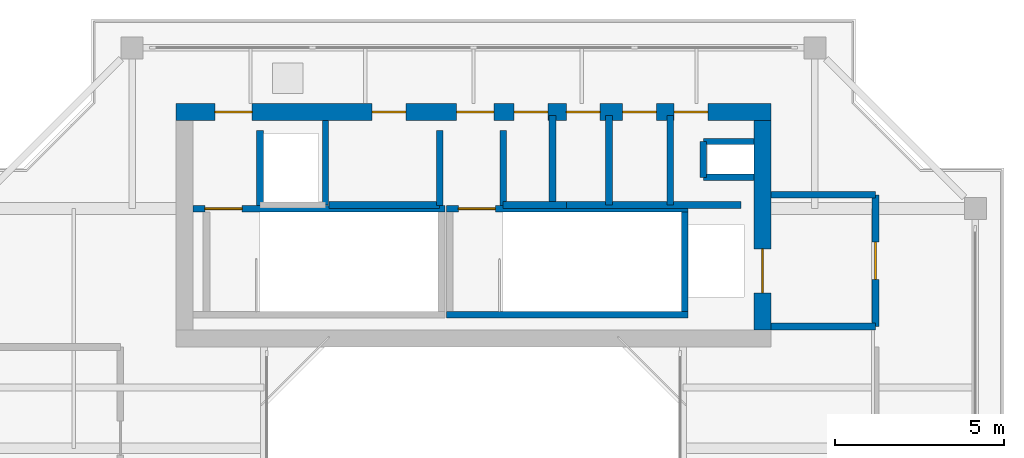
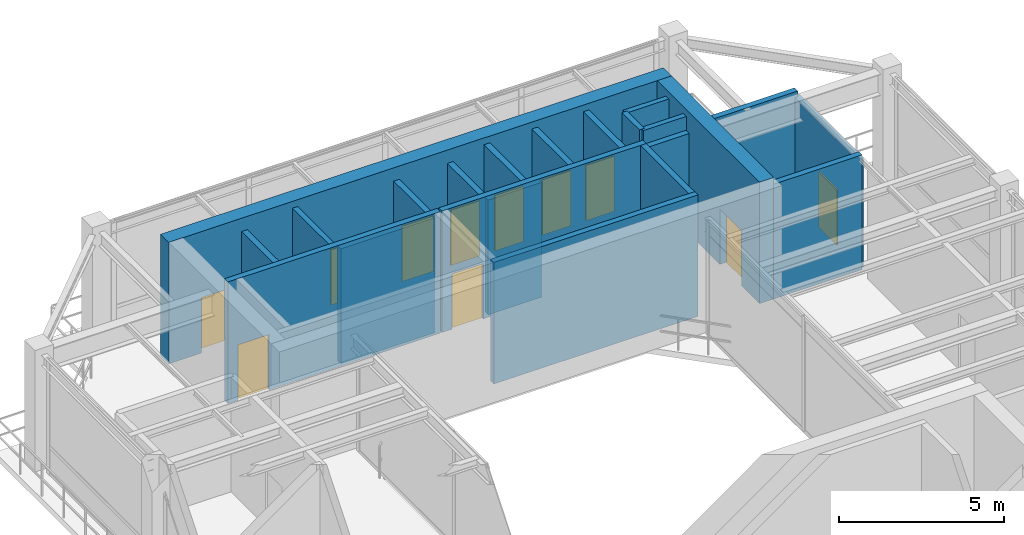
# One storey, part 8 of 9: 22 walls, 11 doors, 11 openings.
"""IFC4 building model written with IfcOpenShell, lengths in metres."""

from ifc_helpers import new_model, si_unit, direction, frame, frame_2d, origin, place, context, subcontext, project, spatial, rectangle, extrude, source, transform, mapped, material, layer, layer_set, type_object, element, fill, save


model = new_model("IFC4")

# Units and contexts
model_context = context("Model", 3, precision=1e-05, world=origin(), true_north=direction((0.0, 1.0)))
body_context = subcontext(model_context, "Body", "Model", "MODEL_VIEW")
ifc_project = project(units=[si_unit("LENGTHUNIT", "METRE"), si_unit("AREAUNIT", "SQUARE_METRE"), si_unit("VOLUMEUNIT", "CUBIC_METRE"), si_unit("PLANEANGLEUNIT", "RADIAN"), si_unit("MASSUNIT", "GRAM", prefix="KILO"), si_unit("THERMODYNAMICTEMPERATUREUNIT", "KELVIN"), si_unit("POWERUNIT", "WATT")], contexts=[model_context])

# Site, building, storey
site_placement = place(None, origin())
site = spatial("IfcSite", under=ifc_project, at=site_placement, CompositionType="ELEMENT")
building_placement = place(site_placement, origin())
building = spatial("IfcBuilding", under=site, at=building_placement, Name="Qiaomeng Ring Towers", CompositionType="ELEMENT")
storey_placement = place(building_placement, frame((0.0, 0.0, 263.25)))
storey = spatial("IfcBuildingStorey", under=building, at=storey_placement, Name="L77", CompositionType="ELEMENT", Elevation=263.25)

# Walls
ifc_material_1 = material(Name="Autoclaved aerated concrete block", Category="concrete")
ifc_layer_1 = layer(ifc_material_1, 0.199951171875, Name="Autoclaved aerated concrete block")
ifc_layer_set_1 = layer_set([ifc_layer_1], Name="Autoclaved aerated concrete block")
wall_type_1 = type_object("IfcWallType", Name="ARC-WL-PW1", PredefinedType="PARTITIONING", material=ifc_layer_set_1)
for number, where, z_axis, x_axis, name in (
    (1, (27.800048828125, 29.60009765625, 0.0), (0.0, 0.0, 1.0), (1.0, 0.0, 0.0), "L77 Interior Wall PW1"),
    (2, (27.800048828125, 33.5, 0.0), (0.0, 0.0, 1.0), (1.0, 0.0, 0.0), "L77 Interior Wall PW1"),
):
    element("IfcWall", number, at=place(storey_placement, frame(where, z_axis=z_axis, x_axis=x_axis)), inside=storey, type_object=wall_type_1, Name=name, PredefinedType="PARTITIONING", context=body_context, shape_type="SweptSolid", body=[
        extrude(rectangle(XDim=3.099853515625, YDim=0.199951171875, at=frame_2d((1.5498046875, 0.0))), origin(), (0.0, 0.0, 1.0), 4.25),
    ])

# Wall, opening, door
wall_1_placement = place(storey_placement, frame((30.89990234375, 29.60009765625, 0.0), z_axis=(0.0, 0.0, 1.0), x_axis=(0.0, 1.0, 0.0)))
wall_1 = element("IfcWall", 3, at=wall_1_placement, inside=storey, type_object=wall_type_1, Name="L77 Interior Wall PW1", PredefinedType="PARTITIONING", context=body_context, shape_type="SweptSolid", body=[
    extrude(rectangle(XDim=3.89990234375, YDim=0.199951171875, at=frame_2d((1.949951171875, 0.0))), origin(), (0.0, 0.0, 1.0), 4.044921875),
])
opening_1_placement = place(wall_1_placement, frame((1.39990234375, 0.0, 0.0)))
opening_1 = element("IfcOpeningElement", 4, at=opening_1_placement, cuts=wall_1, Name="Opening FD3", PredefinedType="OPENING", context=body_context, shape_type="SweptSolid", body=[
    extrude(rectangle(XDim=1.10009765625, YDim=2.050048828125, at=frame_2d((0.550048828125, 1.02490234375))), frame((0.0, 0.10986328125, 0.0), z_axis=(0.0, -1.0, 0.0), x_axis=(1.0, 0.0, 0.0)), (0.0, 0.0, 1.0), 0.219970703125),
])
ifc_material_2 = material(Name="Galvanised steel", Category="steel")
door_type_1 = type_object("IfcDoorType", Name="ARC-DR-FD3", OperationType="NOTDEFINED", PredefinedType="DOOR", material=ifc_material_2)
shared_shape_1 = source(origin(), body_context, "Body", "SweptSolid", [
    extrude(rectangle(XDim=1.10009765625, YDim=2.050048828125, at=frame_2d((0.550048828125, 1.02490234375))), frame((0.0, 0.02490234375, 0.0), z_axis=(0.0, -1.0, 0.0), x_axis=(1.0, 0.0, 0.0)), (0.0, 0.0, 1.0), 0.050048828125),
])
door_1_placement = place(opening_1_placement, origin())
door_1 = element("IfcDoor", 5, at=door_1_placement, inside=storey, type_object=door_type_1, Name="L77 North FF Lobby Door", OperationType="SINGLE_SWING_LEFT", OverallHeight=2.050048828125, OverallWidth=1.10009765625, PredefinedType="DOOR", context=body_context, shape_type="MappedRepresentation", body=[
    mapped(shared_shape_1, transform((0.0, 0.0, 0.0), x_axis=(1.0, 0.0, 0.0), y_axis=(0.0, 1.0, 0.0), z_axis=(0.0, 0.0, 1.0), scale=1.0)),
])
fill(opening_1, door_1)

# Walls
for number, where, z_axis, x_axis, name in (
    (6, (12.679931640625, 33.18994140625, 0.0), (0.0, 0.0, 1.0), (0.0, 1.0, 0.0), "L77 Interior Wall PW1"),
    (7, (18.0, 33.18994140625, 0.0), (0.0, 0.0, 1.0), (0.0, 1.0, 0.0), "L77 Interior Wall PW1"),
    (8, (19.8798828125, 33.18994140625, 0.0), (0.0, 0.0, 1.0), (0.0, 1.0, 0.0), "L77 Interior Wall PW1"),
):
    element("IfcWall", number, at=place(storey_placement, frame(where, z_axis=z_axis, x_axis=x_axis)), inside=storey, type_object=wall_type_1, Name=name, PredefinedType="PARTITIONING", context=body_context, shape_type="SweptSolid", body=[
        extrude(rectangle(XDim=2.2099609375, YDim=0.199951171875, at=frame_2d((1.10498046875, 0.0))), origin(), (0.0, 0.0, 1.0), 4.25),
    ])
wall_2_placement = place(storey_placement, frame((14.719970703125, 33.199951171875, 0.0), z_axis=(0.0, 0.0, 1.0), x_axis=(1.0, 0.0, 0.0)))
element("IfcWall", 9, at=wall_2_placement, inside=storey, type_object=wall_type_1, Name="L77 Interior Wall PW1", PredefinedType="PARTITIONING", context=body_context, shape_type="SweptSolid", body=[
    extrude(rectangle(XDim=3.280029296875, YDim=0.199951171875, at=frame_2d((1.64013671875, 0.0))), origin(), (0.0, 0.0, 1.0), 4.25),
])
wall_3_placement = place(storey_placement, frame((24.820068359375, 33.199951171875, 0.0), z_axis=(0.0, 0.0, 1.0), x_axis=(0.0, 1.0, 0.0)))
element("IfcWall", 10, at=wall_3_placement, inside=storey, type_object=wall_type_1, Name="L77 Interior Wall PW1", PredefinedType="PARTITIONING", context=body_context, shape_type="SweptSolid", body=[
    extrude(rectangle(XDim=2.650146484375, YDim=0.199951171875, at=frame_2d((1.3251953125, 0.0))), origin(), (0.0, 0.0, 1.0), 4.25),
])
wall_4_placement = place(storey_placement, frame((19.8798828125, 33.199951171875, 0.0), z_axis=(0.0, 0.0, 1.0), x_axis=(1.0, 0.0, 0.0)))
element("IfcWall", 11, at=wall_4_placement, inside=storey, type_object=wall_type_1, Name="L77 Interior Wall PW1", PredefinedType="PARTITIONING", context=body_context, shape_type="SweptSolid", body=[
    extrude(rectangle(XDim=1.8701171875, YDim=0.199951171875, at=frame_2d((0.93505859375, 0.0))), origin(), (0.0, 0.0, 1.0), 4.25),
])
for number, where, z_axis, x_axis, name in (
    (12, (21.340087890625, 33.199951171875, 0.0), (0.0, 0.0, 1.0), (0.0, 1.0, 0.0), "L77 Interior Wall PW1"),
    (13, (23.010009765625, 33.199951171875, 0.0), (0.0, 0.0, 1.0), (0.0, 1.0, 0.0), "L77 Interior Wall PW1"),
):
    element("IfcWall", number, at=place(storey_placement, frame(where, z_axis=z_axis, x_axis=x_axis)), inside=storey, type_object=wall_type_1, Name=name, PredefinedType="PARTITIONING", context=body_context, shape_type="SweptSolid", body=[
        extrude(rectangle(XDim=2.650146484375, YDim=0.199951171875, at=frame_2d((1.3251953125, 0.0))), origin(), (0.0, 0.0, 1.0), 4.25),
    ])
wall_5_placement = place(storey_placement, frame((21.75, 33.199951171875, 0.0), z_axis=(0.0, 0.0, 1.0), x_axis=(1.0, 0.0, 0.0)))
element("IfcWall", 14, at=wall_5_placement, inside=storey, type_object=wall_type_1, Name="L77 Interior Wall PW1", PredefinedType="PARTITIONING", context=body_context, shape_type="SweptSolid", body=[
    extrude(rectangle(XDim=5.169921875, YDim=0.199951171875, at=frame_2d((2.5849609375, 0.0))), origin(), (0.0, 0.0, 1.0), 4.25),
])
ifc_material_3 = material(Name="Concrete C40", Category="concrete")
ifc_layer_2 = layer(ifc_material_3, 0.199951171875, Name="Concrete C40")
ifc_layer_set_2 = layer_set([ifc_layer_2], Name="Concrete C40")
wall_type_2 = type_object("IfcWallType", Name="STR-WL-STSHAFT", PredefinedType="SHEAR", material=ifc_layer_set_2)
wall_6_placement = place(storey_placement, frame((14.6201171875, 33.199951171875, 0.0), z_axis=(0.0, 0.0, 1.0), x_axis=(0.0, 1.0, 0.0)))
element("IfcWall", 15, at=wall_6_placement, inside=storey, type_object=wall_type_2, Name="L77 Lift LP5-LP3 Shaft Divider Wall", PredefinedType="SHEAR", context=body_context, shape_type="SweptSolid", body=[
    extrude(rectangle(XDim=2.5, YDim=0.179931640625, at=frame_2d((1.25, 0.0))), origin(), (0.0, 0.0, 1.0), 4.25),
])
wall_7_placement = place(storey_placement, frame((25.800048828125, 34.02001953125, 0.0), z_axis=(0.0, 0.0, 1.0), x_axis=(0.0, 1.0, 0.0)))
element("IfcWall", 16, at=wall_7_placement, inside=storey, type_object=wall_type_2, Name="L77 Riser RSR1 West Shaft Wall N", PredefinedType="SHEAR", context=body_context, shape_type="SweptSolid", body=[
    extrude(rectangle(XDim=1.06005859375, YDim=0.179931640625, at=frame_2d((0.530029296875, 0.0))), origin(), (0.0, 0.0, 1.0), 4.25),
])
for number, where, z_axis, x_axis, name in (
    (17, (25.800048828125, 35.080078125, 0.0), (0.0, 0.0, 1.0), (1.0, 0.0, 0.0), "L77 Riser RSR1 North Shaft Wall N"),
    (18, (25.800048828125, 34.02001953125, 0.0), (0.0, 0.0, 1.0), (1.0, 0.0, 0.0), "L77 Riser RSR1 South Shaft Wall N"),
):
    element("IfcWall", number, at=place(storey_placement, frame(where, z_axis=z_axis, x_axis=x_axis)), inside=storey, type_object=wall_type_2, Name=name, PredefinedType="SHEAR", context=body_context, shape_type="SweptSolid", body=[
        extrude(rectangle(XDim=1.5, YDim=0.179931640625, at=frame_2d((0.75, 0.0))), origin(), (0.0, 0.0, 1.0), 4.25),
    ])

# Wall, opening, door
wall_8_placement = place(storey_placement, frame((10.699951171875, 33.090087890625, 0.0), z_axis=(0.0, 0.0, 1.0), x_axis=(1.0, 0.0, 0.0)))
wall_8 = element("IfcWall", 19, at=wall_8_placement, inside=storey, type_object=wall_type_2, Name="L77 Stair ST1 North Shaft Shear Wall", PredefinedType="SHEAR", context=body_context, shape_type="SweptSolid", body=[
    extrude(rectangle(XDim=7.449951171875, YDim=0.199951171875, at=frame_2d((3.72509765625, 0.0))), origin(), (0.0, 0.0, 1.0), 4.5),
])
opening_2_placement = place(wall_8_placement, frame((0.35009765625, 0.0, 0.0)))
opening_2 = element("IfcOpeningElement", 20, at=opening_2_placement, cuts=wall_8, Name="Opening FD3", PredefinedType="OPENING", context=body_context, shape_type="SweptSolid", body=[
    extrude(rectangle(XDim=1.10009765625, YDim=2.050048828125, at=frame_2d((0.550048828125, 1.02490234375))), frame((0.0, 0.10986328125, 0.0), z_axis=(0.0, -1.0, 0.0), x_axis=(1.0, 0.0, 0.0)), (0.0, 0.0, 1.0), 0.219970703125),
])
door_2_placement = place(opening_2_placement, origin())
door_2 = element("IfcDoor", 21, at=door_2_placement, inside=storey, type_object=door_type_1, Name="L77 Stair ST1 Exit Door", OperationType="SINGLE_SWING_RIGHT", OverallHeight=2.050048828125, OverallWidth=1.10009765625, PredefinedType="DOOR", context=body_context, shape_type="MappedRepresentation", body=[
    mapped(shared_shape_1, transform((0.0, 0.0, 0.0), x_axis=(1.0, 0.0, 0.0), y_axis=(0.0, 1.0, 0.0), z_axis=(0.0, 0.0, 1.0), scale=1.0)),
])
fill(opening_2, door_2)

# Wall
wall_9_placement = place(storey_placement, frame((18.199951171875, 29.949951171875, 0.0), z_axis=(0.0, 0.0, 1.0), x_axis=(1.0, 0.0, 0.0)))
element("IfcWall", 22, at=wall_9_placement, inside=storey, type_object=wall_type_2, Name="L77 Stair ST2 South Shaft Shear Wall", PredefinedType="SHEAR", context=body_context, shape_type="SweptSolid", body=[
    extrude(rectangle(XDim=7.150146484375, YDim=0.199951171875, at=frame_2d((3.5751953125, 0.0))), origin(), (0.0, 0.0, 1.0), 4.5),
])

# Wall, opening, door
wall_10_placement = place(storey_placement, frame((18.199951171875, 33.090087890625, 0.0), z_axis=(0.0, 0.0, 1.0), x_axis=(1.0, 0.0, 0.0)))
wall_10 = element("IfcWall", 23, at=wall_10_placement, inside=storey, type_object=wall_type_2, Name="L77 Stair ST2 North Shaft Shear Wall", PredefinedType="SHEAR", context=body_context, shape_type="SweptSolid", body=[
    extrude(rectangle(XDim=7.150146484375, YDim=0.199951171875, at=frame_2d((3.5751953125, 0.0))), origin(), (0.0, 0.0, 1.0), 4.5),
])
opening_3_placement = place(wall_10_placement, frame((0.35009765625, 0.0, 0.0)))
opening_3 = element("IfcOpeningElement", 24, at=opening_3_placement, cuts=wall_10, Name="Opening FD3", PredefinedType="OPENING", context=body_context, shape_type="SweptSolid", body=[
    extrude(rectangle(XDim=1.10009765625, YDim=2.050048828125, at=frame_2d((0.550048828125, 1.02490234375))), frame((0.0, 0.10986328125, 0.0), z_axis=(0.0, -1.0, 0.0), x_axis=(1.0, 0.0, 0.0)), (0.0, 0.0, 1.0), 0.219970703125),
])
door_3_placement = place(opening_3_placement, origin())
door_3 = element("IfcDoor", 25, at=door_3_placement, inside=storey, type_object=door_type_1, Name="L77 Stair ST2 Exit Door", OperationType="SINGLE_SWING_RIGHT", OverallHeight=2.050048828125, OverallWidth=1.10009765625, PredefinedType="DOOR", context=body_context, shape_type="MappedRepresentation", body=[
    mapped(shared_shape_1, transform((0.0, 0.0, 0.0), x_axis=(1.0, 0.0, 0.0), y_axis=(0.0, 1.0, 0.0), z_axis=(0.0, 0.0, 1.0), scale=1.0)),
])
fill(opening_3, door_3)

# Wall
wall_11_placement = place(storey_placement, frame((25.25, 30.050048828125, 0.0), z_axis=(0.0, 0.0, 1.0), x_axis=(0.0, 1.0, 0.0)))
element("IfcWall", 26, at=wall_11_placement, inside=storey, type_object=wall_type_2, Name="L77 Stair ST2 East Shaft Shear Wall", PredefinedType="SHEAR", context=body_context, shape_type="SweptSolid", body=[
    extrude(rectangle(XDim=2.93994140625, YDim=0.199951171875, at=frame_2d((1.469970703125, 0.0))), origin(), (0.0, 0.0, 1.0), 4.5),
])

# Wall, openings, doors
ifc_layer_3 = layer(ifc_material_3, 0.5, Name="Concrete C40")
ifc_layer_set_3 = layer_set([ifc_layer_3], Name="Concrete C40")
wall_type_3 = type_object("IfcWallType", Name="STR-WL-SW3", PredefinedType="SHEAR", material=ifc_layer_set_3)
wall_12_placement = place(storey_placement, frame((10.199951171875, 35.949951171875, 0.0), z_axis=(0.0, 0.0, 1.0), x_axis=(1.0, 0.0, 0.0)))
wall_12 = element("IfcWall", 27, at=wall_12_placement, inside=storey, type_object=wall_type_3, Name="L77 T1NC north core shear wall", PredefinedType="SHEAR", context=body_context, shape_type="SweptSolid", body=[
    extrude(rectangle(XDim=17.60009765625, YDim=0.5, at=frame_2d((8.800048828125, 0.0))), origin(), (0.0, 0.0, 1.0), 4.5),
])
opening_4_placement = place(wall_12_placement, frame((1.14990234375, 0.0, 0.0)))
opening_4 = element("IfcOpeningElement", 28, at=opening_4_placement, cuts=wall_12, Name="Opening FD3", PredefinedType="OPENING", context=body_context, shape_type="SweptSolid", body=[
    extrude(rectangle(XDim=1.10009765625, YDim=2.050048828125, at=frame_2d((0.550048828125, 1.02490234375))), frame((0.0, 0.260009765625, 0.0), z_axis=(0.0, -1.0, 0.0), x_axis=(1.0, 0.0, 0.0)), (0.0, 0.0, 1.0), 0.52001953125),
])
opening_5_placement = place(wall_12_placement, frame((8.300048828125, 0.0, 0.0)))
opening_5 = element("IfcOpeningElement", 29, at=opening_5_placement, cuts=wall_12, Name="Opening FD3", PredefinedType="OPENING", context=body_context, shape_type="SweptSolid", body=[
    extrude(rectangle(XDim=1.10009765625, YDim=2.050048828125, at=frame_2d((0.550048828125, 1.02490234375))), frame((0.0, 0.260009765625, 0.0), z_axis=(0.0, -1.0, 0.0), x_axis=(1.0, 0.0, 0.0)), (0.0, 0.0, 1.0), 0.52001953125),
])
opening_6_placement = place(wall_12_placement, frame((5.800048828125, 0.0, 0.0)))
opening_6 = element("IfcOpeningElement", 30, at=opening_6_placement, cuts=wall_12, Name="Opening FD1", PredefinedType="OPENING", context=body_context, shape_type="SweptSolid", body=[
    extrude(rectangle(XDim=1.0, YDim=2.050048828125, at=frame_2d((0.5, 1.02490234375))), frame((0.0, 0.260009765625, 0.0), z_axis=(0.0, -1.0, 0.0), x_axis=(1.0, 0.0, 0.0)), (0.0, 0.0, 1.0), 0.52001953125),
])
opening_7_placement = place(wall_12_placement, frame((14.739990234375, 0.0, 0.0)))
opening_7 = element("IfcOpeningElement", 31, at=opening_7_placement, cuts=wall_12, Name="Opening FD1", PredefinedType="OPENING", context=body_context, shape_type="SweptSolid", body=[
    extrude(rectangle(XDim=1.0, YDim=2.050048828125, at=frame_2d((0.5, 1.02490234375))), frame((0.0, 0.260009765625, 0.0), z_axis=(0.0, -1.0, 0.0), x_axis=(1.0, 0.0, 0.0)), (0.0, 0.0, 1.0), 0.52001953125),
])
opening_8_placement = place(wall_12_placement, frame((10.0048828125, 0.0, 0.0)))
opening_8 = element("IfcOpeningElement", 32, at=opening_8_placement, cuts=wall_12, Name="Opening FD1", PredefinedType="OPENING", context=body_context, shape_type="SweptSolid", body=[
    extrude(rectangle(XDim=1.0, YDim=2.050048828125, at=frame_2d((0.5, 1.02490234375))), frame((0.0, 0.260009765625, 0.0), z_axis=(0.0, -1.0, 0.0), x_axis=(1.0, 0.0, 0.0)), (0.0, 0.0, 1.0), 0.52001953125),
])
opening_9_placement = place(wall_12_placement, frame((11.550048828125, 0.0, 0.0)))
opening_9 = element("IfcOpeningElement", 33, at=opening_9_placement, cuts=wall_12, Name="Opening FD1", PredefinedType="OPENING", context=body_context, shape_type="SweptSolid", body=[
    extrude(rectangle(XDim=1.0, YDim=2.050048828125, at=frame_2d((0.5, 1.02490234375))), frame((0.0, 0.260009765625, 0.0), z_axis=(0.0, -1.0, 0.0), x_axis=(1.0, 0.0, 0.0)), (0.0, 0.0, 1.0), 0.52001953125),
])
opening_10_placement = place(wall_12_placement, frame((13.215087890625, 0.0, 0.0)))
opening_10 = element("IfcOpeningElement", 34, at=opening_10_placement, cuts=wall_12, Name="Opening FD1", PredefinedType="OPENING", context=body_context, shape_type="SweptSolid", body=[
    extrude(rectangle(XDim=1.0, YDim=2.050048828125, at=frame_2d((0.5, 1.02490234375))), frame((0.0, 0.260009765625, 0.0), z_axis=(0.0, -1.0, 0.0), x_axis=(1.0, 0.0, 0.0)), (0.0, 0.0, 1.0), 0.52001953125),
])
door_4_placement = place(opening_4_placement, origin())
door_4 = element("IfcDoor", 35, at=door_4_placement, inside=storey, type_object=door_type_1, Name="L77 Stair ST1 Lobby Door", OperationType="SINGLE_SWING_LEFT", OverallHeight=2.050048828125, OverallWidth=1.10009765625, PredefinedType="DOOR", context=body_context, shape_type="MappedRepresentation", body=[
    mapped(shared_shape_1, transform((0.0, 0.0, 0.0), x_axis=(1.0, 0.0, 0.0), y_axis=(0.0, 1.0, 0.0), z_axis=(0.0, 0.0, 1.0), scale=1.0)),
])
fill(opening_4, door_4)
door_5_placement = place(opening_5_placement, origin())
door_5 = element("IfcDoor", 36, at=door_5_placement, inside=storey, type_object=door_type_1, Name="L77 Stair ST2 Lobby Door", OperationType="SINGLE_SWING_LEFT", OverallHeight=2.050048828125, OverallWidth=1.10009765625, PredefinedType="DOOR", context=body_context, shape_type="MappedRepresentation", body=[
    mapped(shared_shape_1, transform((0.0, 0.0, 0.0), x_axis=(1.0, 0.0, 0.0), y_axis=(0.0, 1.0, 0.0), z_axis=(0.0, 0.0, 1.0), scale=1.0)),
])
fill(opening_5, door_5)
door_type_2 = type_object("IfcDoorType", Name="ARC-DR-FD1", OperationType="NOTDEFINED", PredefinedType="DOOR", material=ifc_material_2)
shared_shape_2 = source(origin(), body_context, "Body", "SweptSolid", [
    extrude(rectangle(XDim=1.0, YDim=2.050048828125, at=frame_2d((0.5, 1.02490234375))), frame((0.0, 0.02490234375, 0.0), z_axis=(0.0, -1.0, 0.0), x_axis=(1.0, 0.0, 0.0)), (0.0, 0.0, 1.0), 0.050048828125),
])
door_6_placement = place(opening_6_placement, origin())
door_6 = element("IfcDoor", 37, at=door_6_placement, inside=storey, type_object=door_type_2, Name="L77 High-Zone Facilities Office Door", OperationType="SINGLE_SWING_LEFT", OverallHeight=2.050048828125, OverallWidth=1.0, PredefinedType="DOOR", context=body_context, shape_type="MappedRepresentation", body=[
    mapped(shared_shape_2, transform((0.0, 0.0, 0.0), x_axis=(1.0, 0.0, 0.0), y_axis=(0.0, 1.0, 0.0), z_axis=(0.0, 0.0, 1.0), scale=1.0)),
])
fill(opening_6, door_6)
door_7_placement = place(opening_7_placement, origin())
door_7 = element("IfcDoor", 38, at=door_7_placement, inside=storey, type_object=door_type_2, Name="L77 North Electrical Riser Door", OperationType="SINGLE_SWING_LEFT", OverallHeight=2.050048828125, OverallWidth=1.0, PredefinedType="DOOR", context=body_context, shape_type="MappedRepresentation", body=[
    mapped(shared_shape_2, transform((0.0, 0.0, 0.0), x_axis=(1.0, 0.0, 0.0), y_axis=(0.0, 1.0, 0.0), z_axis=(0.0, 0.0, 1.0), scale=1.0)),
])
fill(opening_7, door_7)
door_8_placement = place(opening_8_placement, origin())
door_8 = element("IfcDoor", 39, at=door_8_placement, inside=storey, type_object=door_type_2, Name="L77 North Cleaners Cupboard Door", OperationType="SINGLE_SWING_LEFT", OverallHeight=2.050048828125, OverallWidth=1.0, PredefinedType="DOOR", context=body_context, shape_type="MappedRepresentation", body=[
    mapped(shared_shape_2, transform((0.0, 0.0, 0.0), x_axis=(1.0, 0.0, 0.0), y_axis=(0.0, 1.0, 0.0), z_axis=(0.0, 0.0, 1.0), scale=1.0)),
])
fill(opening_8, door_8)
door_9_placement = place(opening_9_placement, origin())
door_9 = element("IfcDoor", 40, at=door_9_placement, inside=storey, type_object=door_type_2, Name="L77 North Staff Tea Pantry Door", OperationType="SINGLE_SWING_RIGHT", OverallHeight=2.050048828125, OverallWidth=1.0, PredefinedType="DOOR", context=body_context, shape_type="MappedRepresentation", body=[
    mapped(shared_shape_2, transform((0.0, 0.0, 0.0), x_axis=(1.0, 0.0, 0.0), y_axis=(0.0, 1.0, 0.0), z_axis=(0.0, 0.0, 1.0), scale=1.0)),
])
fill(opening_9, door_9)
door_10_placement = place(opening_10_placement, origin())
door_10 = element("IfcDoor", 41, at=door_10_placement, inside=storey, type_object=door_type_2, Name="L77 North Records Study Door", OperationType="SINGLE_SWING_LEFT", OverallHeight=2.050048828125, OverallWidth=1.0, PredefinedType="DOOR", context=body_context, shape_type="MappedRepresentation", body=[
    mapped(shared_shape_2, transform((0.0, 0.0, 0.0), x_axis=(1.0, 0.0, 0.0), y_axis=(0.0, 1.0, 0.0), z_axis=(0.0, 0.0, 1.0), scale=1.0)),
])
fill(opening_10, door_10)

# Wall, opening, door
wall_13_placement = place(storey_placement, frame((27.550048828125, 29.5, 0.0), z_axis=(0.0, 0.0, 1.0), x_axis=(0.0, 1.0, 0.0)))
wall_13 = element("IfcWall", 42, at=wall_13_placement, inside=storey, type_object=wall_type_3, Name="L77 T1NC east core shear wall", PredefinedType="SHEAR", context=body_context, shape_type="SweptSolid", body=[
    extrude(rectangle(XDim=6.199951171875, YDim=0.5, at=frame_2d((3.10009765625, 0.0))), origin(), (0.0, 0.0, 1.0), 4.5),
])
opening_11_placement = place(wall_13_placement, frame((1.10009765625, 0.0, 0.0)))
opening_11 = element("IfcOpeningElement", 43, at=opening_11_placement, cuts=wall_13, Name="Opening LD2", PredefinedType="OPENING", context=body_context, shape_type="SweptSolid", body=[
    extrude(rectangle(XDim=1.300048828125, YDim=2.050048828125, at=frame_2d((0.64990234375, 1.02490234375))), frame((0.0, 0.260009765625, 0.0), z_axis=(0.0, -1.0, 0.0), x_axis=(1.0, 0.0, 0.0)), (0.0, 0.0, 1.0), 0.52001953125),
])
ifc_material_4 = material(Name="Stainless steel 316", Category="steel")
door_type_3 = type_object("IfcDoorType", Name="ARC-DR-LD2", OperationType="NOTDEFINED", PredefinedType="DOOR", material=ifc_material_4)
shared_shape_3 = source(origin(), body_context, "Body", "SweptSolid", [
    extrude(rectangle(XDim=1.300048828125, YDim=2.050048828125, at=frame_2d((0.64990234375, 1.02490234375))), frame((0.0, 0.02490234375, 0.0), z_axis=(0.0, -1.0, 0.0), x_axis=(1.0, 0.0, 0.0)), (0.0, 0.0, 1.0), 0.050048828125),
])
door_11_placement = place(opening_11_placement, origin())
door_11 = element("IfcDoor", 44, at=door_11_placement, inside=storey, type_object=door_type_3, Name="L77 Firefighting Lift FL1 Landing Door", OperationType="SLIDING_TO_LEFT", OverallHeight=2.050048828125, OverallWidth=1.300048828125, PredefinedType="DOOR", context=body_context, shape_type="MappedRepresentation", body=[
    mapped(shared_shape_3, transform((0.0, 0.0, 0.0), x_axis=(1.0, 0.0, 0.0), y_axis=(0.0, 1.0, 0.0), z_axis=(0.0, 0.0, 1.0), scale=1.0)),
])
fill(opening_11, door_11)

save(model, "model.ifc")
